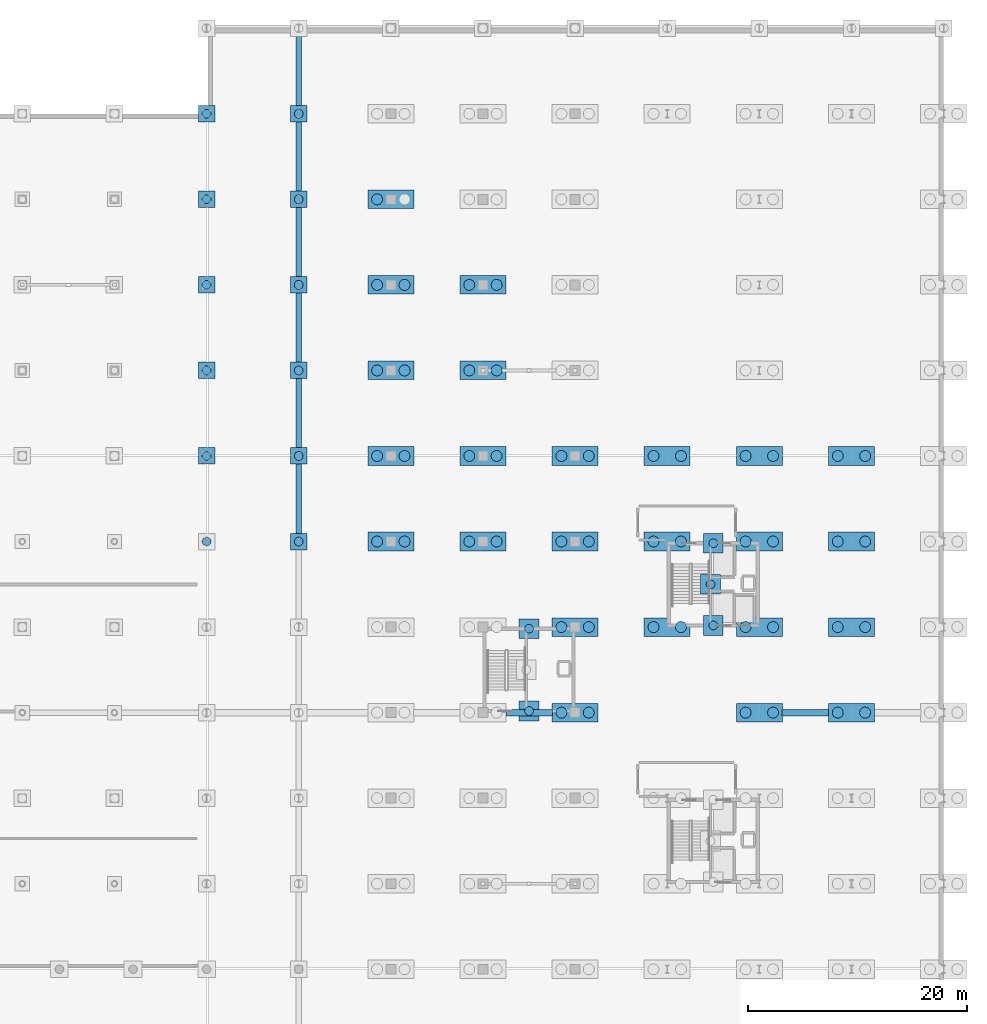
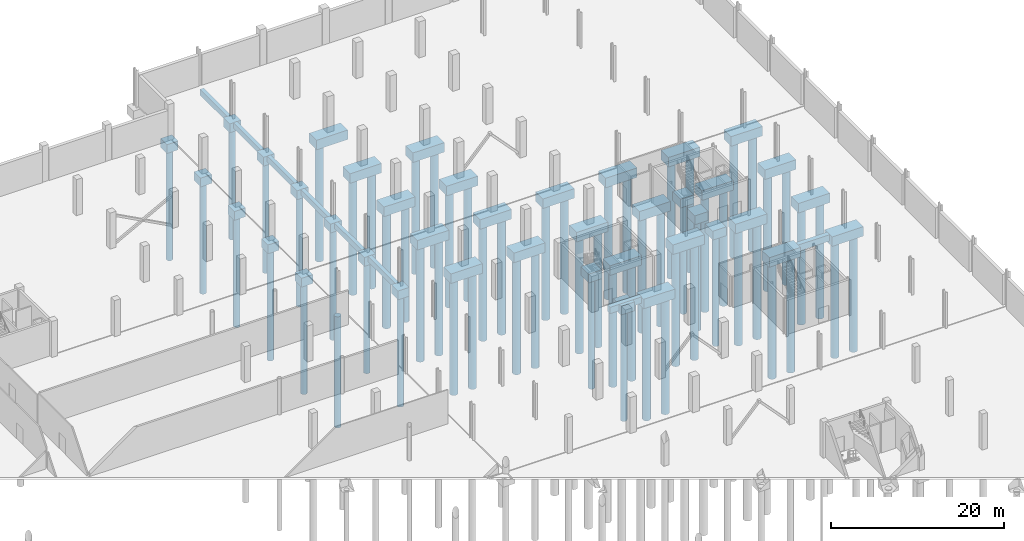
# One storey, part 8 of 48: 64 piles, 48 footings.
"""IFC4 building model written with IfcOpenShell, lengths in metres."""

from ifc_helpers import new_model, si_unit, direction, frame, origin, origin_2d, place, context, subcontext, project, spatial, polyline, rectangle, circle, outline, extrude, material, material_profile, profile_set, type_object, element, save


model = new_model("IFC4")

# Units and contexts
model_context = context("Model", 3, precision=1e-05, world=origin(), true_north=direction((0.0, 1.0)))
body_context = subcontext(model_context, "Body", "Model", "MODEL_VIEW")
ifc_project = project(units=[si_unit("LENGTHUNIT", "METRE"), si_unit("AREAUNIT", "SQUARE_METRE"), si_unit("VOLUMEUNIT", "CUBIC_METRE"), si_unit("PLANEANGLEUNIT", "RADIAN"), si_unit("MASSUNIT", "GRAM", prefix="KILO")], contexts=[model_context])

# Site, building, storey
site_placement = place(None, origin())
site = spatial("IfcSite", under=ifc_project, at=site_placement, CompositionType="ELEMENT")
building_placement = place(site_placement, origin())
building = spatial("IfcBuilding", under=site, at=building_placement, Name="Nabrawat Pavilion Hospital", CompositionType="ELEMENT")
storey_placement = place(building_placement, frame((0.0, 0.0, -5.10009765625)))
storey = spatial("IfcBuildingStorey", under=building, at=storey_placement, Name="B1", CompositionType="ELEMENT", Elevation=-5.10009765625)

# Piles
ifc_material = material(Name="Concrete C35/45", Category="concrete")
ifc_material_profile_1 = material_profile(ifc_material, circle(Radius=0.5, at=origin_2d()), Name="DIA 1000")
ifc_profile_set_1 = profile_set([ifc_material_profile_1], Name="Concrete C35/45")
pile_type_1 = type_object("IfcPileType", Name="Bored Concrete Pile D1000", PredefinedType="BORED", material=ifc_profile_set_1)
for number, where, z_axis, x_axis, name in (
    (1, (141.550048828125, 78.0, -1.469970703125), (0.0, 0.0, -1.0), (1.0, 0.0, 0.0), "Bored Pile P-1000 0213"),
    (2, (144.050048828125, 78.0, -1.469970703125), (0.0, 0.0, -1.0), (1.0, 0.0, 0.0), "Bored Pile P-1000 0214"),
    (3, (141.550048828125, 85.800048828125, -1.469970703125), (0.0, 0.0, -1.0), (1.0, 0.0, 0.0), "Bored Pile P-1000 0215"),
    (4, (144.050048828125, 85.800048828125, -1.469970703125), (0.0, 0.0, -1.0), (1.0, 0.0, 0.0), "Bored Pile P-1000 0216"),
    (5, (141.550048828125, 93.60009765625, -1.469970703125), (0.0, 0.0, -1.0), (1.0, 0.0, 0.0), "Bored Pile P-1000 0217"),
    (6, (144.050048828125, 93.60009765625, -1.469970703125), (0.0, 0.0, -1.0), (1.0, 0.0, 0.0), "Bored Pile P-1000 0218"),
    (7, (141.550048828125, 101.39990234375, -1.469970703125), (0.0, 0.0, -1.0), (1.0, 0.0, 0.0), "Bored Pile P-1000 0219"),
    (8, (144.050048828125, 101.39990234375, -1.469970703125), (0.0, 0.0, -1.0), (1.0, 0.0, 0.0), "Bored Pile P-1000 0220"),
    (9, (141.550048828125, 109.199951171875, -1.469970703125), (0.0, 0.0, -1.0), (1.0, 0.0, 0.0), "Bored Pile P-1000 0221"),
    (10, (149.949951171875, 78.0, -1.469970703125), (0.0, 0.0, -1.0), (1.0, 0.0, 0.0), "Bored Pile P-1000 0241"),
    (11, (152.449951171875, 78.0, -1.469970703125), (0.0, 0.0, -1.0), (1.0, 0.0, 0.0), "Bored Pile P-1000 0242"),
    (12, (149.949951171875, 85.800048828125, -1.469970703125), (0.0, 0.0, -1.0), (1.0, 0.0, 0.0), "Bored Pile P-1000 0243"),
    (13, (152.449951171875, 85.800048828125, -1.469970703125), (0.0, 0.0, -1.0), (1.0, 0.0, 0.0), "Bored Pile P-1000 0244"),
    (14, (149.949951171875, 93.60009765625, -1.469970703125), (0.0, 0.0, -1.0), (1.0, 0.0, 0.0), "Bored Pile P-1000 0245"),
    (15, (152.449951171875, 93.60009765625, -1.469970703125), (0.0, 0.0, -1.0), (1.0, 0.0, 0.0), "Bored Pile P-1000 0246"),
    (16, (149.949951171875, 101.39990234375, -1.469970703125), (0.0, 0.0, -1.0), (1.0, 0.0, 0.0), "Bored Pile P-1000 0247"),
    (17, (152.449951171875, 101.39990234375, -1.469970703125), (0.0, 0.0, -1.0), (1.0, 0.0, 0.0), "Bored Pile P-1000 0248"),
    (18, (158.35009765625, 62.39990234375, -1.469970703125), (0.0, 0.0, -1.0), (1.0, 0.0, 0.0), "Bored Pile P-1000 0265"),
    (19, (160.85009765625, 62.39990234375, -1.469970703125), (0.0, 0.0, -1.0), (1.0, 0.0, 0.0), "Bored Pile P-1000 0266"),
    (20, (158.35009765625, 70.199951171875, -1.469970703125), (0.0, 0.0, -1.0), (1.0, 0.0, 0.0), "Bored Pile P-1000 0267"),
    (21, (160.85009765625, 70.199951171875, -1.469970703125), (0.0, 0.0, -1.0), (1.0, 0.0, 0.0), "Bored Pile P-1000 0268"),
    (22, (158.35009765625, 78.0, -1.469970703125), (0.0, 0.0, -1.0), (1.0, 0.0, 0.0), "Bored Pile P-1000 0269"),
    (23, (160.85009765625, 78.0, -1.469970703125), (0.0, 0.0, -1.0), (1.0, 0.0, 0.0), "Bored Pile P-1000 0270"),
    (24, (158.35009765625, 85.800048828125, -1.469970703125), (0.0, 0.0, -1.0), (1.0, 0.0, 0.0), "Bored Pile P-1000 0271"),
    (25, (160.85009765625, 85.800048828125, -1.469970703125), (0.0, 0.0, -1.0), (1.0, 0.0, 0.0), "Bored Pile P-1000 0272"),
    (26, (166.75, 70.199951171875, -1.469970703125), (0.0, 0.0, -1.0), (1.0, 0.0, 0.0), "Bored Pile P-1000 0291"),
    (27, (169.25, 70.199951171875, -1.469970703125), (0.0, 0.0, -1.0), (1.0, 0.0, 0.0), "Bored Pile P-1000 0292"),
    (28, (166.75, 78.0, -1.469970703125), (0.0, 0.0, -1.0), (1.0, 0.0, 0.0), "Bored Pile P-1000 0293"),
    (29, (169.25, 78.0, -1.469970703125), (0.0, 0.0, -1.0), (1.0, 0.0, 0.0), "Bored Pile P-1000 0294"),
    (30, (166.75, 85.800048828125, -1.469970703125), (0.0, 0.0, -1.0), (1.0, 0.0, 0.0), "Bored Pile P-1000 0295"),
    (31, (169.25, 85.800048828125, -1.469970703125), (0.0, 0.0, -1.0), (1.0, 0.0, 0.0), "Bored Pile P-1000 0296"),
    (32, (175.14990234375, 62.39990234375, -1.469970703125), (0.0, 0.0, -1.0), (1.0, 0.0, 0.0), "Bored Pile P-1000 0311"),
    (33, (177.64990234375, 62.39990234375, -1.469970703125), (0.0, 0.0, -1.0), (1.0, 0.0, 0.0), "Bored Pile P-1000 0312"),
    (34, (175.14990234375, 70.199951171875, -1.469970703125), (0.0, 0.0, -1.0), (1.0, 0.0, 0.0), "Bored Pile P-1000 0313"),
    (35, (177.64990234375, 70.199951171875, -1.469970703125), (0.0, 0.0, -1.0), (1.0, 0.0, 0.0), "Bored Pile P-1000 0314"),
    (36, (175.14990234375, 78.0, -1.469970703125), (0.0, 0.0, -1.0), (1.0, 0.0, 0.0), "Bored Pile P-1000 0315"),
    (37, (177.64990234375, 78.0, -1.469970703125), (0.0, 0.0, -1.0), (1.0, 0.0, 0.0), "Bored Pile P-1000 0316"),
    (38, (175.14990234375, 85.800048828125, -1.469970703125), (0.0, 0.0, -1.0), (1.0, 0.0, 0.0), "Bored Pile P-1000 0317"),
    (39, (177.64990234375, 85.800048828125, -1.469970703125), (0.0, 0.0, -1.0), (1.0, 0.0, 0.0), "Bored Pile P-1000 0318"),
    (40, (183.550048828125, 62.39990234375, -1.469970703125), (0.0, 0.0, -1.0), (1.0, 0.0, 0.0), "Bored Pile P-1000 0336"),
    (41, (186.050048828125, 62.39990234375, -1.469970703125), (0.0, 0.0, -1.0), (1.0, 0.0, 0.0), "Bored Pile P-1000 0337"),
    (42, (183.550048828125, 70.199951171875, -1.469970703125), (0.0, 0.0, -1.0), (1.0, 0.0, 0.0), "Bored Pile P-1000 0338"),
    (43, (186.050048828125, 70.199951171875, -1.469970703125), (0.0, 0.0, -1.0), (1.0, 0.0, 0.0), "Bored Pile P-1000 0339"),
    (44, (183.550048828125, 78.0, -1.469970703125), (0.0, 0.0, -1.0), (1.0, 0.0, 0.0), "Bored Pile P-1000 0340"),
    (45, (186.050048828125, 78.0, -1.469970703125), (0.0, 0.0, -1.0), (1.0, 0.0, 0.0), "Bored Pile P-1000 0341"),
    (46, (183.550048828125, 85.800048828125, -1.469970703125), (0.0, 0.0, -1.0), (1.0, 0.0, 0.0), "Bored Pile P-1000 0342"),
    (47, (186.050048828125, 85.800048828125, -1.469970703125), (0.0, 0.0, -1.0), (1.0, 0.0, 0.0), "Bored Pile P-1000 0343"),
):
    element("IfcPile", number, at=place(storey_placement, frame(where, z_axis=z_axis, x_axis=x_axis)), inside=storey, type_object=pile_type_1, Name=name, PredefinedType="BORED", context=body_context, shape_type="SweptSolid", body=[
        extrude(circle(Radius=0.5, at=origin_2d()), origin(), (0.0, 0.0, 1.0), 16.429931640625),
    ])
ifc_material_profile_2 = material_profile(ifc_material, circle(Radius=0.39990234375, at=origin_2d()), Name="DIA 800")
ifc_profile_set_2 = profile_set([ifc_material_profile_2], Name="Concrete C35/45")
pile_type_2 = type_object("IfcPileType", Name="Bored Concrete Pile D800", PredefinedType="BORED", material=ifc_profile_set_2)
for number, where, z_axis, x_axis, name in (
    (48, (126.0, 78.0, -1.369873046875), (0.0, 0.0, -1.0), (1.0, 0.0, 0.0), "Bored Pile P-800 0174"),
    (49, (126.0, 85.800048828125, -1.369873046875), (0.0, 0.0, -1.0), (1.0, 0.0, 0.0), "Bored Pile P-800 0175"),
    (50, (126.0, 93.60009765625, -1.369873046875), (0.0, 0.0, -1.0), (1.0, 0.0, 0.0), "Bored Pile P-800 0176"),
    (51, (126.0, 101.39990234375, -1.369873046875), (0.0, 0.0, -1.0), (1.0, 0.0, 0.0), "Bored Pile P-800 0177"),
    (52, (126.0, 109.199951171875, -1.369873046875), (0.0, 0.0, -1.0), (1.0, 0.0, 0.0), "Bored Pile P-800 0178"),
    (53, (126.0, 117.0, -1.369873046875), (0.0, 0.0, -1.0), (1.0, 0.0, 0.0), "Bored Pile P-800 0179"),
    (54, (134.39990234375, 78.0, -1.369873046875), (0.0, 0.0, -1.0), (1.0, 0.0, 0.0), "Bored Pile P-800 0191"),
    (55, (134.39990234375, 85.800048828125, -1.369873046875), (0.0, 0.0, -1.0), (1.0, 0.0, 0.0), "Bored Pile P-800 0192"),
    (56, (134.39990234375, 93.60009765625, -1.369873046875), (0.0, 0.0, -1.0), (1.0, 0.0, 0.0), "Bored Pile P-800 0193"),
    (57, (134.39990234375, 101.39990234375, -1.369873046875), (0.0, 0.0, -1.0), (1.0, 0.0, 0.0), "Bored Pile P-800 0194"),
    (58, (134.39990234375, 109.199951171875, -1.369873046875), (0.0, 0.0, -1.0), (1.0, 0.0, 0.0), "Bored Pile P-800 0195"),
    (59, (134.39990234375, 117.0, -1.369873046875), (0.0, 0.0, -1.0), (1.0, 0.0, 0.0), "Bored Pile P-800 0196"),
    (60, (172.199951171875, 70.35009765625, -1.369873046875), (0.0, 0.0, -1.0), (1.0, 0.0, 0.0), "Bored Pile P-800 0390"),
    (61, (172.199951171875, 77.85009765625, -1.369873046875), (0.0, 0.0, -1.0), (1.0, 0.0, 0.0), "Bored Pile P-800 0391"),
    (62, (171.949951171875, 74.10009765625, -1.369873046875), (0.0, 0.0, -1.0), (1.0, 0.0, 0.0), "Bored Pile P-800 0392"),
    (63, (155.39990234375, 62.550048828125, -1.369873046875), (0.0, 0.0, -1.0), (1.0, 0.0, 0.0), "Bored Pile P-800 0399"),
    (64, (155.39990234375, 70.050048828125, -1.369873046875), (0.0, 0.0, -1.0), (1.0, 0.0, 0.0), "Bored Pile P-800 0400"),
):
    element("IfcPile", number, at=place(storey_placement, frame(where, z_axis=z_axis, x_axis=x_axis)), inside=storey, type_object=pile_type_2, Name=name, PredefinedType="BORED", context=body_context, shape_type="SweptSolid", body=[
        extrude(circle(Radius=0.39990234375, at=origin_2d()), origin(), (0.0, 0.0, 1.0), 15.72998046875),
    ])

# Footings
ifc_material_profile_3 = material_profile(ifc_material, rectangle(XDim=0.5, YDim=0.800048828125, at=origin_2d()), Name="RC 500x800")
ifc_profile_set_3 = profile_set([ifc_material_profile_3], Name="Concrete C35/45")
footing_type_1 = type_object("IfcFootingType", Name="Concrete Ground Tie Beam 500x800", PredefinedType="FOOTING_BEAM", material=ifc_profile_set_3)
for number, where, z_axis, x_axis, name in (
    (65, (134.39990234375, 78.72998046875, -0.619873046875), (0.0, 1.0, 0.0), (-1.0, 0.0, 0.0), "B1 Ground Tie Beam Y 069"),
    (66, (134.39990234375, 86.530029296875, -0.619873046875), (0.0, 1.0, 0.0), (-1.0, 0.0, 0.0), "B1 Ground Tie Beam Y 070"),
):
    element("IfcFooting", number, at=place(storey_placement, frame(where, z_axis=z_axis, x_axis=x_axis)), inside=storey, type_object=footing_type_1, Name=name, PredefinedType="FOOTING_BEAM", context=body_context, shape_type="SweptSolid", body=[
        extrude(rectangle(XDim=0.5, YDim=0.800048828125, at=origin_2d()), origin(), (0.0, 0.0, 1.0), 6.340087890625),
    ])
footing_1_placement = place(storey_placement, frame((134.39990234375, 94.330078125, -0.619873046875), z_axis=(0.0, 1.0, 0.0), x_axis=(-1.0, 0.0, 0.0)))
element("IfcFooting", 67, at=footing_1_placement, inside=storey, type_object=footing_type_1, Name="B1 Ground Tie Beam Y 071", PredefinedType="FOOTING_BEAM", context=body_context, shape_type="SweptSolid", body=[
    extrude(rectangle(XDim=0.5, YDim=0.800048828125, at=origin_2d()), origin(), (0.0, 0.0, 1.0), 6.33984375),
])
for number, where, z_axis, x_axis, name in (
    (68, (134.39990234375, 102.1298828125, -0.619873046875), (0.0, 1.0, 0.0), (-1.0, 0.0, 0.0), "B1 Ground Tie Beam Y 072"),
    (69, (134.39990234375, 109.929931640625, -0.619873046875), (0.0, 1.0, 0.0), (-1.0, 0.0, 0.0), "B1 Ground Tie Beam Y 073"),
    (70, (134.39990234375, 117.72998046875, -0.619873046875), (0.0, 1.0, 0.0), (-1.0, 0.0, 0.0), "B1 Ground Tie Beam Y 074"),
):
    element("IfcFooting", number, at=place(storey_placement, frame(where, z_axis=z_axis, x_axis=x_axis)), inside=storey, type_object=footing_type_1, Name=name, PredefinedType="FOOTING_BEAM", context=body_context, shape_type="SweptSolid", body=[
        extrude(rectangle(XDim=0.5, YDim=0.800048828125, at=origin_2d()), origin(), (0.0, 0.0, 1.0), 6.340087890625),
    ])
ifc_material_profile_4 = material_profile(ifc_material, rectangle(XDim=0.60009765625, YDim=0.89990234375, at=origin_2d()), Name="RC 600x900")
ifc_profile_set_4 = profile_set([ifc_material_profile_4], Name="Concrete C35/45")
footing_type_2 = type_object("IfcFootingType", Name="Concrete Ground Tie Beam 600x900", PredefinedType="FOOTING_BEAM", material=ifc_profile_set_4)
for number, where, z_axis, x_axis, name in (
    (71, (153.280029296875, 62.39990234375, -0.669921875), (1.0, 0.0, 0.0), (0.0, 1.0, 0.0), "B1 Ground Tie Beam X 032"),
    (72, (178.47998046875, 62.39990234375, -0.669921875), (1.0, 0.0, 0.0), (0.0, 1.0, 0.0), "B1 Ground Tie Beam X 033"),
):
    element("IfcFooting", number, at=place(storey_placement, frame(where, z_axis=z_axis, x_axis=x_axis)), inside=storey, type_object=footing_type_2, Name=name, PredefinedType="FOOTING_BEAM", context=body_context, shape_type="SweptSolid", body=[
        extrude(rectangle(XDim=0.60009765625, YDim=0.89990234375, at=origin_2d()), origin(), (0.0, 0.0, 1.0), 4.239990234375),
    ])
footing_type_3 = type_object("IfcFootingType", Name="Reinforced Concrete Pile Cap 1500x1500x1250", PredefinedType="PILE_CAP", material=ifc_material)
footing_2_placement = place(storey_placement, frame((0.0, 0.0, -1.469970703125)))
element("IfcFooting", 73, at=footing_2_placement, inside=storey, type_object=footing_type_3, Name="B1 Combined Pile Cap CAP-175", PredefinedType="PILE_CAP", context=body_context, shape_type="SweptSolid", body=[
    extrude(outline(polyline([(126.75, 85.050048828125), (126.75, 86.550048828125), (125.25, 86.550048828125), (125.25, 85.050048828125), (126.75, 85.050048828125)])), origin(), (0.0, 0.0, 1.0), 1.25),
])
footing_3_placement = place(storey_placement, frame((0.0, 0.0, -1.469970703125)))
element("IfcFooting", 74, at=footing_3_placement, inside=storey, type_object=footing_type_3, Name="B1 Combined Pile Cap CAP-176", PredefinedType="PILE_CAP", context=body_context, shape_type="SweptSolid", body=[
    extrude(outline(polyline([(126.75, 92.85009765625), (126.75, 94.35009765625), (125.25, 94.35009765625), (125.25, 92.85009765625), (126.75, 92.85009765625)])), origin(), (0.0, 0.0, 1.0), 1.25),
])
footing_4_placement = place(storey_placement, frame((0.0, 0.0, -1.469970703125)))
element("IfcFooting", 75, at=footing_4_placement, inside=storey, type_object=footing_type_3, Name="B1 Combined Pile Cap CAP-177", PredefinedType="PILE_CAP", context=body_context, shape_type="SweptSolid", body=[
    extrude(outline(polyline([(126.75, 100.64990234375), (126.75, 102.14990234375), (125.25, 102.14990234375), (125.25, 100.64990234375), (126.75, 100.64990234375)])), origin(), (0.0, 0.0, 1.0), 1.25),
])
footing_5_placement = place(storey_placement, frame((0.0, 0.0, -1.469970703125)))
element("IfcFooting", 76, at=footing_5_placement, inside=storey, type_object=footing_type_3, Name="B1 Combined Pile Cap CAP-178", PredefinedType="PILE_CAP", context=body_context, shape_type="SweptSolid", body=[
    extrude(outline(polyline([(126.75, 108.449951171875), (126.75, 109.949951171875), (125.25, 109.949951171875), (125.25, 108.449951171875), (126.75, 108.449951171875)])), origin(), (0.0, 0.0, 1.0), 1.25),
])
footing_6_placement = place(storey_placement, frame((0.0, 0.0, -1.469970703125)))
element("IfcFooting", 77, at=footing_6_placement, inside=storey, type_object=footing_type_3, Name="B1 Combined Pile Cap CAP-179", PredefinedType="PILE_CAP", context=body_context, shape_type="SweptSolid", body=[
    extrude(outline(polyline([(126.75, 116.25), (126.75, 117.75), (125.25, 117.75), (125.25, 116.25), (126.75, 116.25)])), origin(), (0.0, 0.0, 1.0), 1.25),
])
footing_7_placement = place(storey_placement, frame((0.0, 0.0, -1.469970703125)))
element("IfcFooting", 78, at=footing_7_placement, inside=storey, type_object=footing_type_3, Name="B1 Combined Pile Cap CAP-191", PredefinedType="PILE_CAP", context=body_context, shape_type="SweptSolid", body=[
    extrude(outline(polyline([(135.14990234375, 77.25), (135.14990234375, 78.75), (133.64990234375, 78.75), (133.64990234375, 77.25), (135.14990234375, 77.25)])), origin(), (0.0, 0.0, 1.0), 1.25),
])
footing_8_placement = place(storey_placement, frame((0.0, 0.0, -1.469970703125)))
element("IfcFooting", 79, at=footing_8_placement, inside=storey, type_object=footing_type_3, Name="B1 Combined Pile Cap CAP-192", PredefinedType="PILE_CAP", context=body_context, shape_type="SweptSolid", body=[
    extrude(outline(polyline([(135.14990234375, 85.050048828125), (135.14990234375, 86.550048828125), (133.64990234375, 86.550048828125), (133.64990234375, 85.050048828125), (135.14990234375, 85.050048828125)])), origin(), (0.0, 0.0, 1.0), 1.25),
])
footing_9_placement = place(storey_placement, frame((0.0, 0.0, -1.469970703125)))
element("IfcFooting", 80, at=footing_9_placement, inside=storey, type_object=footing_type_3, Name="B1 Combined Pile Cap CAP-193", PredefinedType="PILE_CAP", context=body_context, shape_type="SweptSolid", body=[
    extrude(outline(polyline([(135.14990234375, 92.85009765625), (135.14990234375, 94.35009765625), (133.64990234375, 94.35009765625), (133.64990234375, 92.85009765625), (135.14990234375, 92.85009765625)])), origin(), (0.0, 0.0, 1.0), 1.25),
])
footing_10_placement = place(storey_placement, frame((0.0, 0.0, -1.469970703125)))
element("IfcFooting", 81, at=footing_10_placement, inside=storey, type_object=footing_type_3, Name="B1 Combined Pile Cap CAP-194", PredefinedType="PILE_CAP", context=body_context, shape_type="SweptSolid", body=[
    extrude(outline(polyline([(135.14990234375, 100.64990234375), (135.14990234375, 102.14990234375), (133.64990234375, 102.14990234375), (133.64990234375, 100.64990234375), (135.14990234375, 100.64990234375)])), origin(), (0.0, 0.0, 1.0), 1.25),
])
footing_11_placement = place(storey_placement, frame((0.0, 0.0, -1.469970703125)))
element("IfcFooting", 82, at=footing_11_placement, inside=storey, type_object=footing_type_3, Name="B1 Combined Pile Cap CAP-195", PredefinedType="PILE_CAP", context=body_context, shape_type="SweptSolid", body=[
    extrude(outline(polyline([(135.14990234375, 108.449951171875), (135.14990234375, 109.949951171875), (133.64990234375, 109.949951171875), (133.64990234375, 108.449951171875), (135.14990234375, 108.449951171875)])), origin(), (0.0, 0.0, 1.0), 1.25),
])
footing_12_placement = place(storey_placement, frame((0.0, 0.0, -1.469970703125)))
element("IfcFooting", 83, at=footing_12_placement, inside=storey, type_object=footing_type_3, Name="B1 Combined Pile Cap CAP-196", PredefinedType="PILE_CAP", context=body_context, shape_type="SweptSolid", body=[
    extrude(outline(polyline([(135.14990234375, 116.25), (135.14990234375, 117.75), (133.64990234375, 117.75), (133.64990234375, 116.25), (135.14990234375, 116.25)])), origin(), (0.0, 0.0, 1.0), 1.25),
])
footing_type_4 = type_object("IfcFootingType", Name="Reinforced Concrete Pile Cap 1700x4200x1350", PredefinedType="PILE_CAP", material=ifc_material)
footing_13_placement = place(storey_placement, frame((0.0, 0.0, -1.56982421875)))
element("IfcFooting", 84, at=footing_13_placement, inside=storey, type_object=footing_type_4, Name="B1 Combined Pile Cap CAP-208", PredefinedType="PILE_CAP", context=body_context, shape_type="SweptSolid", body=[
    extrude(outline(polyline([(144.89990234375, 77.14990234375), (144.89990234375, 78.85009765625), (140.699951171875, 78.85009765625), (140.699951171875, 77.14990234375), (144.89990234375, 77.14990234375)])), origin(), (0.0, 0.0, 1.0), 1.349853515625),
])
footing_14_placement = place(storey_placement, frame((0.0, 0.0, -1.56982421875)))
element("IfcFooting", 85, at=footing_14_placement, inside=storey, type_object=footing_type_4, Name="B1 Combined Pile Cap CAP-209", PredefinedType="PILE_CAP", context=body_context, shape_type="SweptSolid", body=[
    extrude(outline(polyline([(144.89990234375, 84.949951171875), (144.89990234375, 86.64990234375), (140.699951171875, 86.64990234375), (140.699951171875, 84.949951171875), (144.89990234375, 84.949951171875)])), origin(), (0.0, 0.0, 1.0), 1.349853515625),
])
footing_15_placement = place(storey_placement, frame((0.0, 0.0, -1.56982421875)))
element("IfcFooting", 86, at=footing_15_placement, inside=storey, type_object=footing_type_4, Name="B1 Combined Pile Cap CAP-210", PredefinedType="PILE_CAP", context=body_context, shape_type="SweptSolid", body=[
    extrude(outline(polyline([(144.89990234375, 92.75), (144.89990234375, 94.449951171875), (140.699951171875, 94.449951171875), (140.699951171875, 92.75), (144.89990234375, 92.75)])), origin(), (0.0, 0.0, 1.0), 1.349853515625),
])
footing_16_placement = place(storey_placement, frame((0.0, 0.0, -1.56982421875)))
element("IfcFooting", 87, at=footing_16_placement, inside=storey, type_object=footing_type_4, Name="B1 Combined Pile Cap CAP-211", PredefinedType="PILE_CAP", context=body_context, shape_type="SweptSolid", body=[
    extrude(outline(polyline([(144.89990234375, 100.550048828125), (144.89990234375, 102.25), (140.699951171875, 102.25), (140.699951171875, 100.550048828125), (144.89990234375, 100.550048828125)])), origin(), (0.0, 0.0, 1.0), 1.349853515625),
])
footing_17_placement = place(storey_placement, frame((0.0, 0.0, -1.56982421875)))
element("IfcFooting", 88, at=footing_17_placement, inside=storey, type_object=footing_type_4, Name="B1 Combined Pile Cap CAP-212", PredefinedType="PILE_CAP", context=body_context, shape_type="SweptSolid", body=[
    extrude(outline(polyline([(144.89990234375, 108.35009765625), (144.89990234375, 110.050048828125), (140.699951171875, 110.050048828125), (140.699951171875, 108.35009765625), (144.89990234375, 108.35009765625)])), origin(), (0.0, 0.0, 1.0), 1.349853515625),
])
footing_18_placement = place(storey_placement, frame((0.0, 0.0, -1.56982421875)))
element("IfcFooting", 89, at=footing_18_placement, inside=storey, type_object=footing_type_4, Name="B1 Combined Pile Cap CAP-225", PredefinedType="PILE_CAP", context=body_context, shape_type="SweptSolid", body=[
    extrude(outline(polyline([(153.300048828125, 77.14990234375), (153.300048828125, 78.85009765625), (149.10009765625, 78.85009765625), (149.10009765625, 77.14990234375), (153.300048828125, 77.14990234375)])), origin(), (0.0, 0.0, 1.0), 1.349853515625),
])
footing_19_placement = place(storey_placement, frame((0.0, 0.0, -1.56982421875)))
element("IfcFooting", 90, at=footing_19_placement, inside=storey, type_object=footing_type_4, Name="B1 Combined Pile Cap CAP-226", PredefinedType="PILE_CAP", context=body_context, shape_type="SweptSolid", body=[
    extrude(outline(polyline([(153.300048828125, 84.949951171875), (153.300048828125, 86.64990234375), (149.10009765625, 86.64990234375), (149.10009765625, 84.949951171875), (153.300048828125, 84.949951171875)])), origin(), (0.0, 0.0, 1.0), 1.349853515625),
])
footing_20_placement = place(storey_placement, frame((0.0, 0.0, -1.56982421875)))
element("IfcFooting", 91, at=footing_20_placement, inside=storey, type_object=footing_type_4, Name="B1 Combined Pile Cap CAP-227", PredefinedType="PILE_CAP", context=body_context, shape_type="SweptSolid", body=[
    extrude(outline(polyline([(153.300048828125, 92.75), (153.300048828125, 94.449951171875), (149.10009765625, 94.449951171875), (149.10009765625, 92.75), (153.300048828125, 92.75)])), origin(), (0.0, 0.0, 1.0), 1.349853515625),
])
footing_21_placement = place(storey_placement, frame((0.0, 0.0, -1.56982421875)))
element("IfcFooting", 92, at=footing_21_placement, inside=storey, type_object=footing_type_4, Name="B1 Combined Pile Cap CAP-228", PredefinedType="PILE_CAP", context=body_context, shape_type="SweptSolid", body=[
    extrude(outline(polyline([(153.300048828125, 100.550048828125), (153.300048828125, 102.25), (149.10009765625, 102.25), (149.10009765625, 100.550048828125), (153.300048828125, 100.550048828125)])), origin(), (0.0, 0.0, 1.0), 1.349853515625),
])
footing_22_placement = place(storey_placement, frame((0.0, 0.0, -1.56982421875)))
element("IfcFooting", 93, at=footing_22_placement, inside=storey, type_object=footing_type_4, Name="B1 Combined Pile Cap CAP-240", PredefinedType="PILE_CAP", context=body_context, shape_type="SweptSolid", body=[
    extrude(outline(polyline([(161.699951171875, 61.550048828125), (161.699951171875, 63.25), (157.5, 63.25), (157.5, 61.550048828125), (161.699951171875, 61.550048828125)])), origin(), (0.0, 0.0, 1.0), 1.349853515625),
])
footing_23_placement = place(storey_placement, frame((0.0, 0.0, -1.56982421875)))
element("IfcFooting", 94, at=footing_23_placement, inside=storey, type_object=footing_type_4, Name="B1 Combined Pile Cap CAP-241", PredefinedType="PILE_CAP", context=body_context, shape_type="SweptSolid", body=[
    extrude(outline(polyline([(161.699951171875, 69.35009765625), (161.699951171875, 71.050048828125), (157.5, 71.050048828125), (157.5, 69.35009765625), (161.699951171875, 69.35009765625)])), origin(), (0.0, 0.0, 1.0), 1.349853515625),
])
footing_24_placement = place(storey_placement, frame((0.0, 0.0, -1.56982421875)))
element("IfcFooting", 95, at=footing_24_placement, inside=storey, type_object=footing_type_4, Name="B1 Combined Pile Cap CAP-242", PredefinedType="PILE_CAP", context=body_context, shape_type="SweptSolid", body=[
    extrude(outline(polyline([(161.699951171875, 77.14990234375), (161.699951171875, 78.85009765625), (157.5, 78.85009765625), (157.5, 77.14990234375), (161.699951171875, 77.14990234375)])), origin(), (0.0, 0.0, 1.0), 1.349853515625),
])
footing_25_placement = place(storey_placement, frame((0.0, 0.0, -1.56982421875)))
element("IfcFooting", 96, at=footing_25_placement, inside=storey, type_object=footing_type_4, Name="B1 Combined Pile Cap CAP-243", PredefinedType="PILE_CAP", context=body_context, shape_type="SweptSolid", body=[
    extrude(outline(polyline([(161.699951171875, 84.949951171875), (161.699951171875, 86.64990234375), (157.5, 86.64990234375), (157.5, 84.949951171875), (161.699951171875, 84.949951171875)])), origin(), (0.0, 0.0, 1.0), 1.349853515625),
])
footing_26_placement = place(storey_placement, frame((0.0, 0.0, -1.56982421875)))
element("IfcFooting", 97, at=footing_26_placement, inside=storey, type_object=footing_type_4, Name="B1 Combined Pile Cap CAP-255", PredefinedType="PILE_CAP", context=body_context, shape_type="SweptSolid", body=[
    extrude(outline(polyline([(170.10009765625, 69.35009765625), (170.10009765625, 71.050048828125), (165.89990234375, 71.050048828125), (165.89990234375, 69.35009765625), (170.10009765625, 69.35009765625)])), origin(), (0.0, 0.0, 1.0), 1.349853515625),
])
footing_27_placement = place(storey_placement, frame((0.0, 0.0, -1.56982421875)))
element("IfcFooting", 98, at=footing_27_placement, inside=storey, type_object=footing_type_4, Name="B1 Combined Pile Cap CAP-256", PredefinedType="PILE_CAP", context=body_context, shape_type="SweptSolid", body=[
    extrude(outline(polyline([(170.10009765625, 77.14990234375), (170.10009765625, 78.85009765625), (165.89990234375, 78.85009765625), (165.89990234375, 77.14990234375), (170.10009765625, 77.14990234375)])), origin(), (0.0, 0.0, 1.0), 1.349853515625),
])
footing_28_placement = place(storey_placement, frame((0.0, 0.0, -1.56982421875)))
element("IfcFooting", 99, at=footing_28_placement, inside=storey, type_object=footing_type_4, Name="B1 Combined Pile Cap CAP-257", PredefinedType="PILE_CAP", context=body_context, shape_type="SweptSolid", body=[
    extrude(outline(polyline([(170.10009765625, 84.949951171875), (170.10009765625, 86.64990234375), (165.89990234375, 86.64990234375), (165.89990234375, 84.949951171875), (170.10009765625, 84.949951171875)])), origin(), (0.0, 0.0, 1.0), 1.349853515625),
])
footing_29_placement = place(storey_placement, frame((0.0, 0.0, -1.56982421875)))
element("IfcFooting", 100, at=footing_29_placement, inside=storey, type_object=footing_type_4, Name="B1 Combined Pile Cap CAP-268", PredefinedType="PILE_CAP", context=body_context, shape_type="SweptSolid", body=[
    extrude(outline(polyline([(178.5, 61.550048828125), (178.5, 63.25), (174.300048828125, 63.25), (174.300048828125, 61.550048828125), (178.5, 61.550048828125)])), origin(), (0.0, 0.0, 1.0), 1.349853515625),
])
footing_30_placement = place(storey_placement, frame((0.0, 0.0, -1.56982421875)))
element("IfcFooting", 101, at=footing_30_placement, inside=storey, type_object=footing_type_4, Name="B1 Combined Pile Cap CAP-269", PredefinedType="PILE_CAP", context=body_context, shape_type="SweptSolid", body=[
    extrude(outline(polyline([(178.5, 69.35009765625), (178.5, 71.050048828125), (174.300048828125, 71.050048828125), (174.300048828125, 69.35009765625), (178.5, 69.35009765625)])), origin(), (0.0, 0.0, 1.0), 1.349853515625),
])
footing_31_placement = place(storey_placement, frame((0.0, 0.0, -1.56982421875)))
element("IfcFooting", 102, at=footing_31_placement, inside=storey, type_object=footing_type_4, Name="B1 Combined Pile Cap CAP-270", PredefinedType="PILE_CAP", context=body_context, shape_type="SweptSolid", body=[
    extrude(outline(polyline([(178.5, 77.14990234375), (178.5, 78.85009765625), (174.300048828125, 78.85009765625), (174.300048828125, 77.14990234375), (178.5, 77.14990234375)])), origin(), (0.0, 0.0, 1.0), 1.349853515625),
])
footing_32_placement = place(storey_placement, frame((0.0, 0.0, -1.56982421875)))
element("IfcFooting", 103, at=footing_32_placement, inside=storey, type_object=footing_type_4, Name="B1 Combined Pile Cap CAP-271", PredefinedType="PILE_CAP", context=body_context, shape_type="SweptSolid", body=[
    extrude(outline(polyline([(178.5, 84.949951171875), (178.5, 86.64990234375), (174.300048828125, 86.64990234375), (174.300048828125, 84.949951171875), (178.5, 84.949951171875)])), origin(), (0.0, 0.0, 1.0), 1.349853515625),
])
footing_33_placement = place(storey_placement, frame((0.0, 0.0, -1.56982421875)))
element("IfcFooting", 104, at=footing_33_placement, inside=storey, type_object=footing_type_4, Name="B1 Combined Pile Cap CAP-282", PredefinedType="PILE_CAP", context=body_context, shape_type="SweptSolid", body=[
    extrude(outline(polyline([(186.89990234375, 61.550048828125), (186.89990234375, 63.25), (182.699951171875, 63.25), (182.699951171875, 61.550048828125), (186.89990234375, 61.550048828125)])), origin(), (0.0, 0.0, 1.0), 1.349853515625),
])
footing_34_placement = place(storey_placement, frame((0.0, 0.0, -1.56982421875)))
element("IfcFooting", 105, at=footing_34_placement, inside=storey, type_object=footing_type_4, Name="B1 Combined Pile Cap CAP-283", PredefinedType="PILE_CAP", context=body_context, shape_type="SweptSolid", body=[
    extrude(outline(polyline([(186.89990234375, 69.35009765625), (186.89990234375, 71.050048828125), (182.699951171875, 71.050048828125), (182.699951171875, 69.35009765625), (186.89990234375, 69.35009765625)])), origin(), (0.0, 0.0, 1.0), 1.349853515625),
])
footing_35_placement = place(storey_placement, frame((0.0, 0.0, -1.56982421875)))
element("IfcFooting", 106, at=footing_35_placement, inside=storey, type_object=footing_type_4, Name="B1 Combined Pile Cap CAP-284", PredefinedType="PILE_CAP", context=body_context, shape_type="SweptSolid", body=[
    extrude(outline(polyline([(186.89990234375, 77.14990234375), (186.89990234375, 78.85009765625), (182.699951171875, 78.85009765625), (182.699951171875, 77.14990234375), (186.89990234375, 77.14990234375)])), origin(), (0.0, 0.0, 1.0), 1.349853515625),
])
footing_36_placement = place(storey_placement, frame((0.0, 0.0, -1.56982421875)))
element("IfcFooting", 107, at=footing_36_placement, inside=storey, type_object=footing_type_4, Name="B1 Combined Pile Cap CAP-285", PredefinedType="PILE_CAP", context=body_context, shape_type="SweptSolid", body=[
    extrude(outline(polyline([(186.89990234375, 84.949951171875), (186.89990234375, 86.64990234375), (182.699951171875, 86.64990234375), (182.699951171875, 84.949951171875), (186.89990234375, 84.949951171875)])), origin(), (0.0, 0.0, 1.0), 1.349853515625),
])
footing_type_5 = type_object("IfcFootingType", Name="Reinforced Concrete Pile Cap 1800x1800x1250", PredefinedType="PILE_CAP", material=ifc_material)
footing_37_placement = place(storey_placement, frame((0.0, 0.0, -1.469970703125)))
element("IfcFooting", 108, at=footing_37_placement, inside=storey, type_object=footing_type_5, Name="B1 Core Shear Wall Pile Cap CAP-CORE-16", PredefinedType="PILE_CAP", context=body_context, shape_type="SweptSolid", body=[
    extrude(outline(polyline([(173.10009765625, 69.449951171875), (173.10009765625, 71.25), (171.300048828125, 71.25), (171.300048828125, 69.449951171875), (173.10009765625, 69.449951171875)])), origin(), (0.0, 0.0, 1.0), 1.25),
])
footing_38_placement = place(storey_placement, frame((0.0, 0.0, -1.469970703125)))
element("IfcFooting", 109, at=footing_38_placement, inside=storey, type_object=footing_type_5, Name="B1 Core Shear Wall Pile Cap CAP-CORE-17", PredefinedType="PILE_CAP", context=body_context, shape_type="SweptSolid", body=[
    extrude(outline(polyline([(173.10009765625, 76.949951171875), (173.10009765625, 78.75), (171.300048828125, 78.75), (171.300048828125, 76.949951171875), (173.10009765625, 76.949951171875)])), origin(), (0.0, 0.0, 1.0), 1.25),
])
footing_39_placement = place(storey_placement, frame((0.0, 0.0, -1.469970703125)))
element("IfcFooting", 110, at=footing_39_placement, inside=storey, type_object=footing_type_5, Name="B1 Core Shear Wall Pile Cap CAP-CORE-18", PredefinedType="PILE_CAP", context=body_context, shape_type="SweptSolid", body=[
    extrude(outline(polyline([(172.85009765625, 73.199951171875), (172.85009765625, 75.0), (171.050048828125, 75.0), (171.050048828125, 73.199951171875), (172.85009765625, 73.199951171875)])), origin(), (0.0, 0.0, 1.0), 1.25),
])
footing_40_placement = place(storey_placement, frame((0.0, 0.0, -1.469970703125)))
element("IfcFooting", 111, at=footing_40_placement, inside=storey, type_object=footing_type_5, Name="B1 Core Shear Wall Pile Cap CAP-CORE-25", PredefinedType="PILE_CAP", context=body_context, shape_type="SweptSolid", body=[
    extrude(outline(polyline([(156.300048828125, 61.64990234375), (156.300048828125, 63.449951171875), (154.5, 63.449951171875), (154.5, 61.64990234375), (156.300048828125, 61.64990234375)])), origin(), (0.0, 0.0, 1.0), 1.25),
])
footing_41_placement = place(storey_placement, frame((0.0, 0.0, -1.469970703125)))
element("IfcFooting", 112, at=footing_41_placement, inside=storey, type_object=footing_type_5, Name="B1 Core Shear Wall Pile Cap CAP-CORE-26", PredefinedType="PILE_CAP", context=body_context, shape_type="SweptSolid", body=[
    extrude(outline(polyline([(156.300048828125, 69.14990234375), (156.300048828125, 70.949951171875), (154.5, 70.949951171875), (154.5, 69.14990234375), (156.300048828125, 69.14990234375)])), origin(), (0.0, 0.0, 1.0), 1.25),
])

save(model, "model.ifc")
